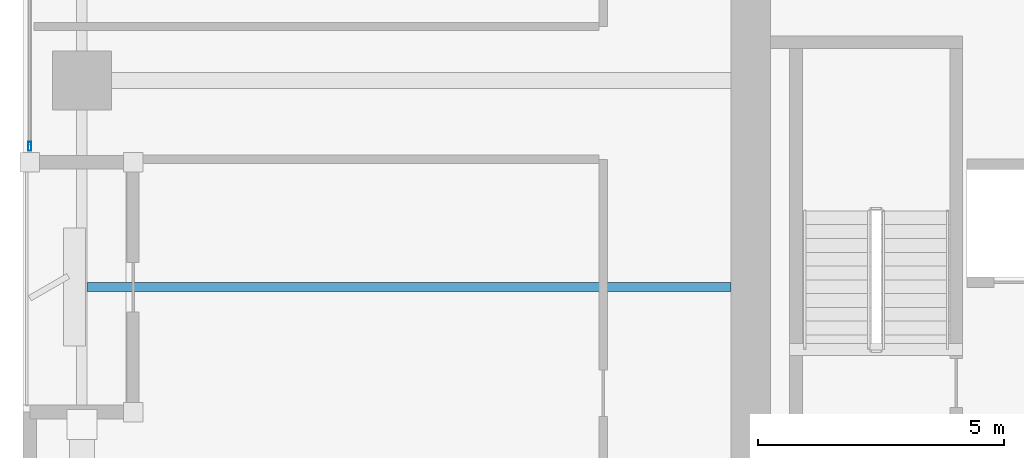
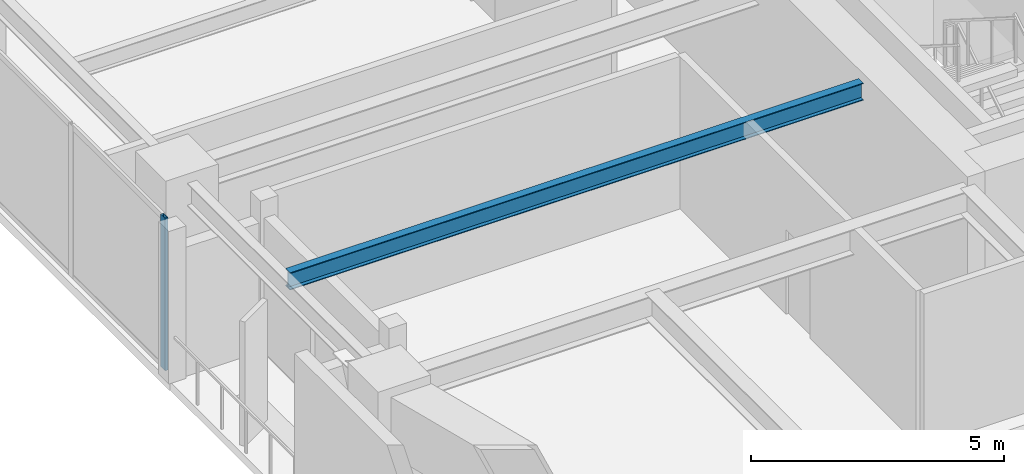
# One storey, part 2 of 30: 1 beam, 1 member, 1 element without a shape of its own.
"""IFC4 building model written with IfcOpenShell, lengths in metres."""

from ifc_helpers import new_model, si_unit, direction, frame, origin, origin_2d, place, context, subcontext, project, spatial, hollow_rectangle, i_section, extrude, material, layer, layer_set, material_profile, profile_set, type_object, element, aggregate, save


model = new_model("IFC4")

# Units and contexts
model_context = context("Model", 3, precision=1e-05, world=origin(), true_north=direction((0.0, 1.0)))
body_context = subcontext(model_context, "Body", "Model", "MODEL_VIEW")
ifc_project = project(units=[si_unit("LENGTHUNIT", "METRE"), si_unit("AREAUNIT", "SQUARE_METRE"), si_unit("VOLUMEUNIT", "CUBIC_METRE"), si_unit("PLANEANGLEUNIT", "RADIAN"), si_unit("MASSUNIT", "GRAM", prefix="KILO")], contexts=[model_context])

# Site, building, storey
site_placement = place(None, origin())
site = spatial("IfcSite", under=ifc_project, at=site_placement, CompositionType="ELEMENT")
building_placement = place(site_placement, origin())
building = spatial("IfcBuilding", under=site, at=building_placement, Name="Kiyonajd Concourse Tower", CompositionType="ELEMENT")
storey_placement = place(building_placement, frame((0.0, 0.0, 166.199951171875)))
storey = spatial("IfcBuildingStorey", under=building, at=storey_placement, Name="L42", CompositionType="ELEMENT", Elevation=166.199951171875)

# Beam
ifc_material_1 = material(Name="Steel ASTM A992 Grade 50", Category="steel")
ifc_material_profile_1 = material_profile(ifc_material_1, i_section(OverallWidth=0.180908203125, OverallDepth=0.4169921875, WebThickness=0.010986328125, FlangeThickness=0.018310546875, at=origin_2d()), Name="W410X85")
ifc_profile_set_1 = profile_set([ifc_material_profile_1], Name="Steel ASTM A992 Grade 50")
beam_type = type_object("IfcBeamType", Name="BM-JST-410", PredefinedType="JOIST", material=ifc_profile_set_1)
beam_placement = place(storey_placement, frame((19.306884765625, 31.800048828125, 3.471435546875), z_axis=(1.0, 0.0, 0.0), x_axis=(0.0, 1.0, 0.0)))
element("IfcBeam", 1, at=beam_placement, inside=storey, type_object=beam_type, Name="L42 West Secondary Floor Joist", PredefinedType="JOIST", context=body_context, shape_type="SweptSolid", body=[
    extrude(i_section(OverallWidth=0.180908203125, OverallDepth=0.4169921875, WebThickness=0.010986328125, FlangeThickness=0.018310546875, at=origin_2d()), origin(), (0.0, 0.0, 1.0), 13.093017578125),
])

# Curtain wall, member
ifc_material_2 = material(Name="Thermally Broken Anodised Aluminium", Category="aluminium")
ifc_layer = layer(ifc_material_2, 0.179931640625)
ifc_layer_set = layer_set([ifc_layer], Name="Thermally Broken Anodised Aluminium")
curtain_wall_type = type_object("IfcCurtainWallType", Name="CW-SYS-03", PredefinedType="NOTDEFINED", material=ifc_layer_set)
curtain_wall_placement = place(storey_placement, origin())
curtain_wall = element("IfcCurtainWall", 2, at=curtain_wall_placement, inside=storey, type_object=curtain_wall_type, Name="L42 Unitised Curtain Wall CW3", PredefinedType="NOTDEFINED")
ifc_material_profile_2 = material_profile(ifc_material_2, hollow_rectangle(XDim=0.06494140625, YDim=0.179931640625, WallThickness=0.00390625, at=origin_2d()), Name="MULL-65x180")
ifc_profile_set_2 = profile_set([ifc_material_profile_2], Name="Thermally Broken Anodised Aluminium")
member_type = type_object("IfcMemberType", Name="MB-CW-MULL1", PredefinedType="MULLION", material=ifc_profile_set_2)
member_placement = place(storey_placement, frame((18.139892578125, 34.66259765625, 0.0), z_axis=(0.0, 0.0, 1.0), x_axis=(-1.0, 0.0, 0.0)))
member = element("IfcMember", 3, at=member_placement, type_object=member_type, Name="CW3 mullion 1", PredefinedType="MULLION", context=body_context, shape_type="SweptSolid", body=[
    extrude(hollow_rectangle(XDim=0.06494140625, YDim=0.179931640625, WallThickness=0.00390625, at=origin_2d()), origin(), (0.0, 0.0, 1.0), 3.679931640625),
])
aggregate(curtain_wall, [member])

save(model, "model.ifc")
